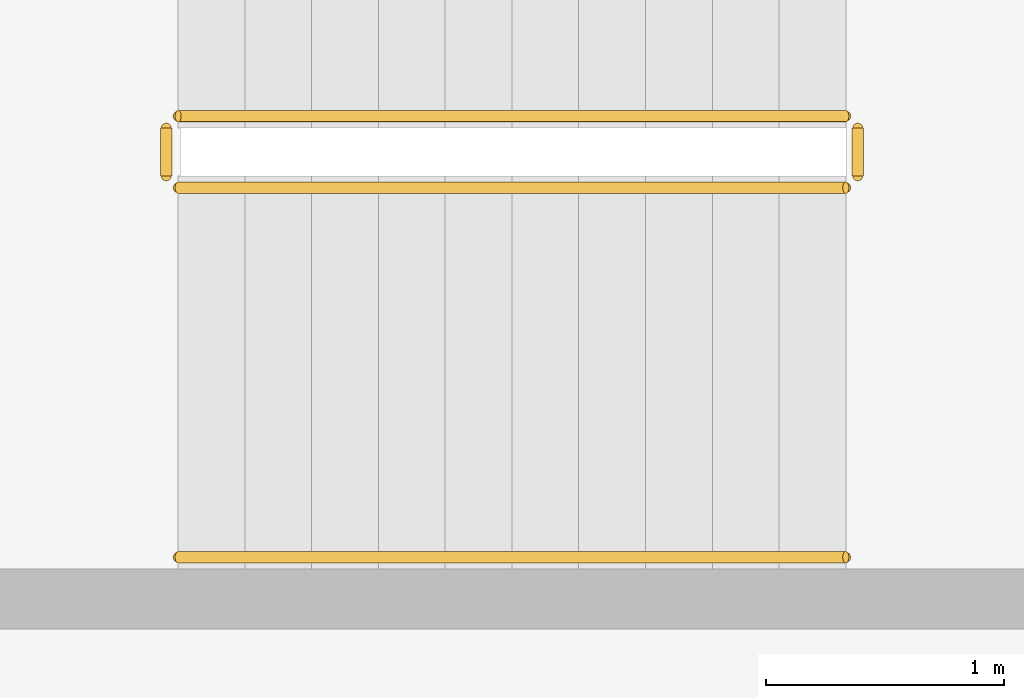
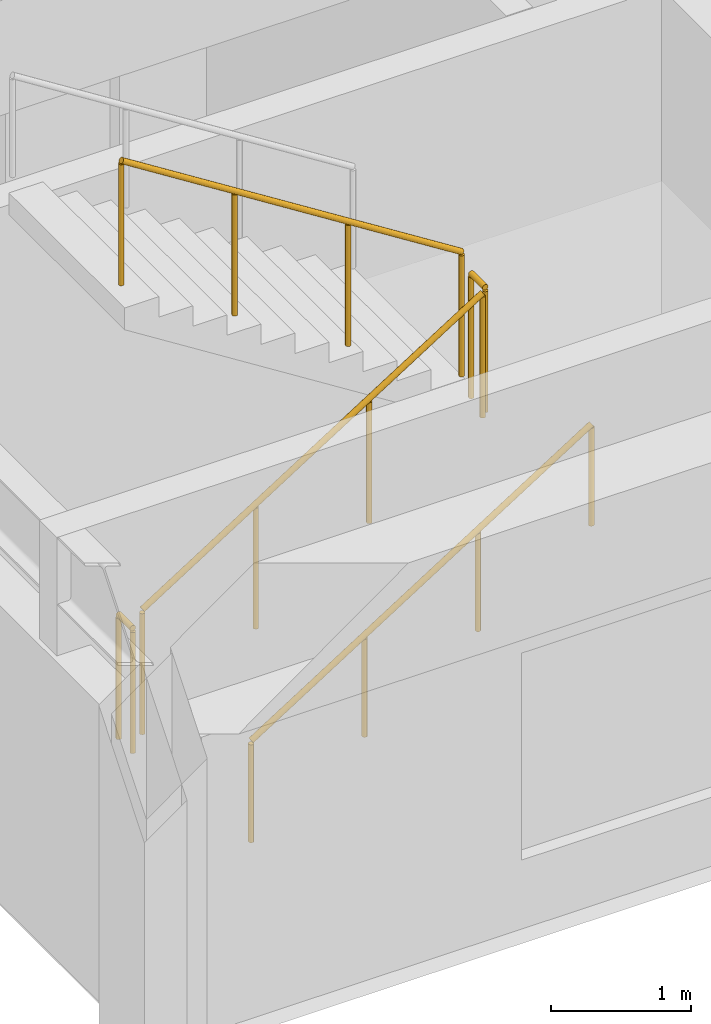
# One storey, part 74 of 82: 5 railings.
"""IFC4 building model written with IfcOpenShell, lengths in metres."""

from ifc_helpers import new_model, si_unit, direction, frame, origin, origin_2d, place, context, subcontext, project, spatial, circle, extrude, material, layer, layer_set, type_object, element, save


model = new_model("IFC4")

# Units and contexts
model_context = context("Model", 3, precision=1e-05, world=origin(), true_north=direction((0.0, 1.0)))
body_context = subcontext(model_context, "Body", "Model", "MODEL_VIEW")
ifc_project = project(units=[si_unit("LENGTHUNIT", "METRE"), si_unit("AREAUNIT", "SQUARE_METRE"), si_unit("VOLUMEUNIT", "CUBIC_METRE"), si_unit("PLANEANGLEUNIT", "RADIAN"), si_unit("MASSUNIT", "GRAM", prefix="KILO")], contexts=[model_context])

# Site, building, storey
site_placement = place(None, origin())
site = spatial("IfcSite", under=ifc_project, at=site_placement, CompositionType="ELEMENT")
building_placement = place(site_placement, origin())
building = spatial("IfcBuilding", under=site, at=building_placement, Name="Qasida Concert Hall", CompositionType="ELEMENT")
storey_placement = place(building_placement, frame((0.0, 0.0, 17.10009765625)))
storey = spatial("IfcBuildingStorey", under=building, at=storey_placement, Name="L04", CompositionType="ELEMENT", Elevation=17.10009765625)

# Railings
ifc_material_1 = material(Name="Patinated architectural bronze and laminated glass infill", Category="glass")
ifc_layer_1 = layer(ifc_material_1, 0.080078125, Name="Patinated architectural bronze and laminated glass infill")
ifc_layer_set_1 = layer_set([ifc_layer_1], Name="Patinated architectural bronze and laminated glass infill")
railing_type_1 = type_object("IfcRailingType", Name="RL-GRD-1100", PredefinedType="GUARDRAIL", material=ifc_layer_set_1)
railing_1_placement = place(storey_placement, frame((1.64990234375, 78.10009765625, 0.17724609375)))
element("IfcRailing", 1, at=railing_1_placement, inside=storey, type_object=railing_type_1, Name="L04 ST-05 stair guard 1", PredefinedType="GUARDRAIL", context=body_context, shape_type="SweptSolid", body=[
    extrude(circle(Radius=0.02392578125, at=origin_2d()), frame((0.0, 0.0, 1.076171875), z_axis=(0.844908973607, 0.0, 0.534910110503), x_axis=(0.0, 1.0, 0.0)), (0.0, 0.0, 1.0), 3.31396484375),
    extrude(circle(Radius=0.02099609375, at=origin_2d()), origin(), (0.0, 0.0, 1.0), 1.052001953125),
    extrude(circle(Radius=0.02099609375, at=origin_2d()), frame((0.933349609375, 0.0, 0.5908203125)), (0.0, 0.0, 1.0), 1.052001953125),
    extrude(circle(Radius=0.02099609375, at=origin_2d()), frame((1.86669921875, 0.0, 1.181884765625)), (0.0, 0.0, 1.0), 1.052001953125),
    extrude(circle(Radius=0.02099609375, at=origin_2d()), frame((2.800048828125, 0.0, 1.772705078125)), (0.0, 0.0, 1.0), 1.052001953125),
])
railing_2_placement = place(storey_placement, frame((4.5, 78.14990234375, 1.949951171875)))
element("IfcRailing", 2, at=railing_2_placement, inside=storey, type_object=railing_type_1, Name="L04 ST-05 stair guard 2", PredefinedType="GUARDRAIL", context=body_context, shape_type="SweptSolid", body=[
    extrude(circle(Radius=0.02392578125, at=origin_2d()), frame((0.0, 0.0, 1.076171875), z_axis=(0.0, 1.0, 0.0), x_axis=(-1.0, 0.0, 0.0)), (0.0, 0.0, 1.0), 0.2001953125),
    extrude(circle(Radius=0.02099609375, at=origin_2d()), origin(), (0.0, 0.0, 1.0), 1.052001953125),
    extrude(circle(Radius=0.02099609375, at=origin_2d()), frame((0.0, 0.2001953125, 0.0)), (0.0, 0.0, 1.0), 1.052001953125),
])
railing_3_placement = place(storey_placement, frame((4.449951171875, 78.39990234375, 2.127197265625)))
element("IfcRailing", 3, at=railing_3_placement, inside=storey, type_object=railing_type_1, Name="L04 ST-05 stair guard 3", PredefinedType="GUARDRAIL", context=body_context, shape_type="SweptSolid", body=[
    extrude(circle(Radius=0.02392578125, at=origin_2d()), frame((0.0, 0.0, 1.076171875), z_axis=(-0.844908973607, 0.0, 0.534910110503), x_axis=(0.0, -1.0, 0.0)), (0.0, 0.0, 1.0), 3.31396484375),
    extrude(circle(Radius=0.02099609375, at=origin_2d()), origin(), (0.0, 0.0, 1.0), 1.052001953125),
    extrude(circle(Radius=0.02099609375, at=origin_2d()), frame((-0.933349609375, 0.0, 0.5908203125)), (0.0, 0.0, 1.0), 1.052001953125),
    extrude(circle(Radius=0.02099609375, at=origin_2d()), frame((-1.86669921875, 0.0, 1.181884765625)), (0.0, 0.0, 1.0), 1.052001953125),
    extrude(circle(Radius=0.02099609375, at=origin_2d()), frame((-2.800048828125, 0.0, 1.772705078125)), (0.0, 0.0, 1.0), 1.052001953125),
])
railing_4_placement = place(storey_placement, frame((1.60009765625, 78.14990234375, 0.0)))
element("IfcRailing", 4, at=railing_4_placement, inside=storey, type_object=railing_type_1, Name="L04 ST-05 stair guard 4", PredefinedType="GUARDRAIL", context=body_context, shape_type="SweptSolid", body=[
    extrude(circle(Radius=0.02392578125, at=origin_2d()), frame((0.0, 0.0, 1.076171875), z_axis=(0.0, 1.0, 0.0), x_axis=(-1.0, 0.0, 0.0)), (0.0, 0.0, 1.0), 0.2001953125),
    extrude(circle(Radius=0.02099609375, at=origin_2d()), origin(), (0.0, 0.0, 1.0), 1.052001953125),
    extrude(circle(Radius=0.02099609375, at=origin_2d()), frame((0.0, 0.2001953125, 0.0)), (0.0, 0.0, 1.0), 1.052001953125),
])
ifc_material_2 = material(Name="Patinated tubular architectural bronze", Category="steel")
ifc_layer_2 = layer(ifc_material_2, 0.050048828125, Name="Patinated tubular architectural bronze")
ifc_layer_set_2 = layer_set([ifc_layer_2], Name="Patinated tubular architectural bronze")
railing_type_2 = type_object("IfcRailingType", Name="RL-HND-900", PredefinedType="HANDRAIL", material=ifc_layer_set_2)
railing_5_placement = place(storey_placement, frame((1.64990234375, 76.550048828125, 0.17724609375)))
element("IfcRailing", 5, at=railing_5_placement, inside=storey, type_object=railing_type_2, Name="L04 ST-05 stair handrail 1", PredefinedType="HANDRAIL", context=body_context, shape_type="SweptSolid", body=[
    extrude(circle(Radius=0.02392578125, at=origin_2d()), frame((0.0, 0.0, 0.8759765625), z_axis=(0.844908973607, 0.0, 0.534910110503), x_axis=(0.0, 1.0, 0.0)), (0.0, 0.0, 1.0), 3.31396484375),
    extrude(circle(Radius=0.02099609375, at=origin_2d()), origin(), (0.0, 0.0, 1.0), 0.851806640625),
    extrude(circle(Radius=0.02099609375, at=origin_2d()), frame((0.933349609375, 0.0, 0.5908203125)), (0.0, 0.0, 1.0), 0.851806640625),
    extrude(circle(Radius=0.02099609375, at=origin_2d()), frame((1.86669921875, 0.0, 1.181884765625)), (0.0, 0.0, 1.0), 0.851806640625),
    extrude(circle(Radius=0.02099609375, at=origin_2d()), frame((2.800048828125, 0.0, 1.772705078125)), (0.0, 0.0, 1.0), 0.851806640625),
])

save(model, "model.ifc")
